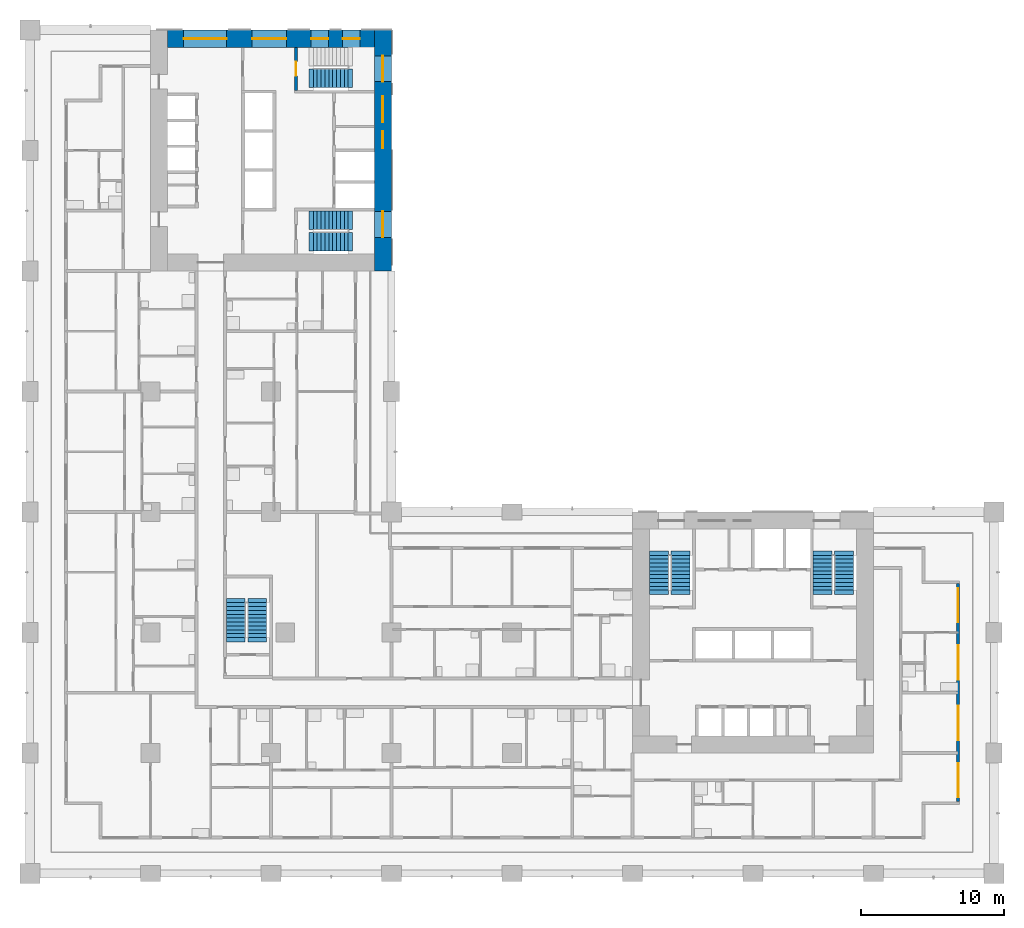
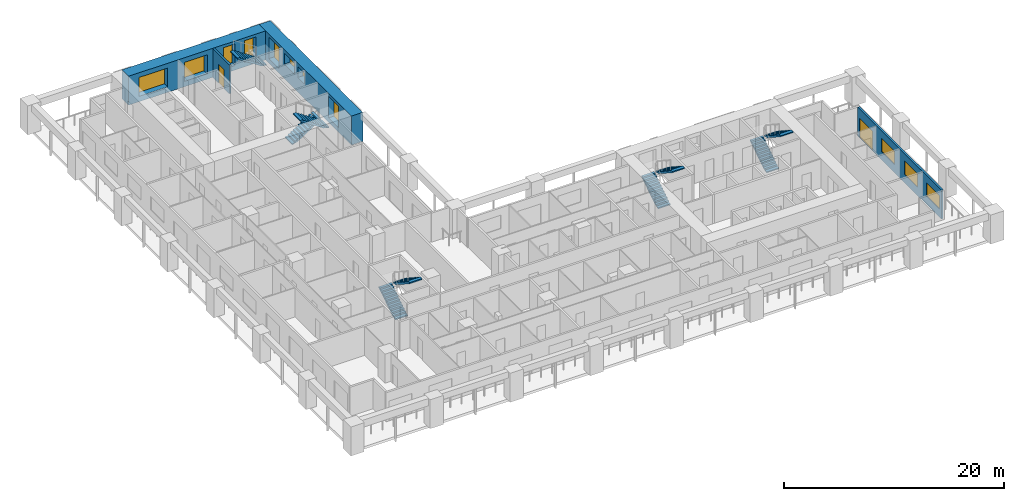
# One storey, part 10 of 19: 11 windows, 9 stair flights, 4 walls, 2 doors, 13 openings, 5 elements without a shape of their own.
"""IFC4 building model written with IfcOpenShell, lengths in metres."""

import ifcopenshell
import ifcopenshell.guid

model = None  # the IFC model being written
_history = None  # IfcOwnerHistory: only IFC2X3 demands one
_inside = {}  # id of a spatial element -> (the spatial element, [elements in it])
_under = {}  # id of a project, library or spatial element -> (it, [spatial elements below it])
_declared = {}  # id of a project -> (the project, [libraries it declares])
_typed = {}  # id of a type object -> (the type object, [elements of that type])
_made_of = {}  # id of a material, layer set ... -> (it, [elements and type objects made of it])


def new_model(schema):
    """Start an empty IFC model of exactly this schema.

    Asked for "IFC4X3", IfcOpenShell would pick the latest addendum, in which some entities
    have other attributes; the version numbers below select the first issue.
    IFC2X3 requires an IfcOwnerHistory on every rooted entity: one is made here for all.
    """
    global model, _history
    if schema == "IFC4X3":
        model = ifcopenshell.file(schema_version=(4, 3, 0, 0))
    else:
        model = ifcopenshell.file(schema=schema)
    _inside.clear()
    _under.clear()
    _declared.clear()
    _typed.clear()
    _made_of.clear()
    _history = None
    if model.schema == "IFC2X3":
        org = make("IfcOrganization", Name="unknown")
        user = make(
            "IfcPersonAndOrganization",
            ThePerson=make("IfcPerson", FamilyName="unknown"),
            TheOrganization=org,
        )
        app = make(
            "IfcApplication",
            ApplicationDeveloper=org,
            Version="unknown",
            ApplicationFullName="unknown",
            ApplicationIdentifier="unknown",
        )
        _history = make(
            "IfcOwnerHistory",
            OwningUser=user,
            OwningApplication=app,
            ChangeAction="ADDED",
            CreationDate=0,
        )
    return model


def make(cls, **values):
    """One entity of the class cls with the attributes given. An attribute that is None is left unset."""
    return model.create_entity(
        cls, **{name: value for name, value in values.items() if value is not None}
    )


def rooted(cls, **values):
    """An entity with a GlobalId (a new one), such as an element, a storey or a relation."""
    return make(cls, GlobalId=ifcopenshell.guid.new(), OwnerHistory=_history, **values)


def si_unit(unit_type, name, prefix=None):
    """IfcSIUnit, for example si_unit("LENGTHUNIT", "METRE", prefix="MILLI")."""
    return make("IfcSIUnit", UnitType=unit_type, Prefix=prefix, Name=name)


def assignment(units):
    """IfcUnitAssignment: the units of a project."""
    return None if units is None else make("IfcUnitAssignment", Units=units)


def point(xyz):
    """IfcCartesianPoint."""
    return None if xyz is None else make("IfcCartesianPoint", Coordinates=xyz)


def direction(xyz):
    """IfcDirection."""
    return None if xyz is None else make("IfcDirection", DirectionRatios=xyz)


def frame(location, z_axis=None, x_axis=None):
    """IfcAxis2Placement3D, a coordinate frame: its origin and axes. An axis left out is left unset."""
    return make(
        "IfcAxis2Placement3D",
        Location=point(location),
        Axis=direction(z_axis),
        RefDirection=direction(x_axis),
    )


def frame_2d(location, x_axis=None):
    """IfcAxis2Placement2D, a coordinate frame in the plane: its origin and x axis."""
    return make(
        "IfcAxis2Placement2D", Location=point(location), RefDirection=direction(x_axis)
    )


def origin():
    """The frame at (0, 0, 0) with its axes left unset."""
    return frame((0.0, 0.0, 0.0))


def place(relative_to, where):
    """IfcLocalPlacement: puts the frame where relative to a parent placement (None: the world)."""
    return make(
        "IfcLocalPlacement", PlacementRelTo=relative_to, RelativePlacement=where
    )


def context(
    kind, dimensions, precision=None, world=None, true_north=None, identifier=None
):
    """IfcGeometricRepresentationContext, for example the 3D "Model" context."""
    return make(
        "IfcGeometricRepresentationContext",
        ContextIdentifier=identifier,
        ContextType=kind,
        CoordinateSpaceDimension=dimensions,
        Precision=precision,
        WorldCoordinateSystem=world,
        TrueNorth=true_north,
    )


def subcontext(parent, identifier, kind, view, scale=None):
    """IfcGeometricRepresentationSubContext, for example "Body" below "Model"."""
    return make(
        "IfcGeometricRepresentationSubContext",
        ContextIdentifier=identifier,
        ContextType=kind,
        ParentContext=parent,
        TargetScale=scale,
        TargetView=view,
    )


def project(units=None, contexts=None):
    """IfcProject with its units and contexts."""
    return rooted(
        "IfcProject",
        Name="project",
        RepresentationContexts=contexts,
        UnitsInContext=assignment(units),
    )


def spatial(cls, under=None, at=None, **own):
    """A site, building, storey or space (cls), placed at a placement, below another one or the project."""
    s = rooted(cls, ObjectPlacement=at, **own)
    if under is not None:
        _under.setdefault(under.id(), (under, []))[1].append(s)
    return s


def polyline(points):
    """IfcPolyline through the points."""
    return make("IfcPolyline", Points=[point(p) for p in points])


def profile(cls, at=None, kind="AREA", **sizes):
    """A parametric profile (cls). Its sizes go by their IFC names, for example OverallWidth=200.0."""
    return make(cls, ProfileType=kind, Position=at, **sizes)


def rectangle(**sizes):
    """IfcRectangleProfileDef."""
    return profile("IfcRectangleProfileDef", **sizes)


def outline(outer, holes=None, kind="AREA"):
    """IfcArbitraryClosedProfileDef: a profile drawn as a closed curve; with holes, ...WithVoids."""
    if holes is None:
        return make("IfcArbitraryClosedProfileDef", ProfileType=kind, OuterCurve=outer)
    return make(
        "IfcArbitraryProfileDefWithVoids",
        ProfileType=kind,
        OuterCurve=outer,
        InnerCurves=holes,
    )


def extrude(swept, where, along, depth):
    """IfcExtrudedAreaSolid: the profile swept, set in the frame where, extruded along a direction by depth."""
    return make(
        "IfcExtrudedAreaSolid",
        SweptArea=swept,
        Position=where,
        ExtrudedDirection=direction(along),
        Depth=depth,
    )


def shape(context_of_items, identifier, shape_type, items):
    """IfcShapeRepresentation: the items that make up one representation, for example the "Body"."""
    return make(
        "IfcShapeRepresentation",
        ContextOfItems=context_of_items,
        RepresentationIdentifier=identifier,
        RepresentationType=shape_type,
        Items=items,
    )


def material(Name=None, Category=None):
    """IfcMaterial."""
    return make("IfcMaterial", Name=Name, Category=Category)


def layer(
    of_material, thickness, ventilated=None, Name=None, Category=None, Priority=None
):
    """IfcMaterialLayer: one layer of a wall or slab, of a material (None: an air gap)."""
    return make(
        "IfcMaterialLayer",
        Material=of_material,
        LayerThickness=thickness,
        IsVentilated=ventilated,
        Name=Name,
        Category=Category,
        Priority=Priority,
    )


def layer_set(layers, Name=None):
    """IfcMaterialLayerSet."""
    return make("IfcMaterialLayerSet", MaterialLayers=layers, LayerSetName=Name)


def made_of(thing, what):
    """Note that an element or type object is made of a material, layer set ...; save() writes the relation."""
    if what is not None:
        _made_of.setdefault(what.id(), (what, []))[1].append(thing)
    return thing


def type_object(cls, material=None, **own):
    """A type object (cls), such as IfcWallType, which elements share."""
    return made_of(rooted(cls, **own), material)


def element(
    cls,
    number,
    at=None,
    inside=None,
    cuts=None,
    type_object=None,
    material=None,
    context=None,
    identifier="Body",
    shape_type=None,
    held_by="IfcProductDefinitionShape",
    body=None,
    shapes=None,
    **own,
):
    """One element of the class cls, such as IfcWall. Its Tag is "e" and its number.

    at: its placement. inside: the storey or other place that contains it. cuts: it is an
    opening in that element (IfcRelVoidsElement). A single representation is given by context,
    identifier, shape_type and body (its items); several are given by shapes. held_by: the class
    of the entity that holds the representations. save() writes the other relations.
    """
    e = rooted(cls, Tag="e%d" % number, ObjectPlacement=at, **own)
    if body is not None:
        shapes = [shape(context, identifier, shape_type, body)]
    if shapes is not None:
        e.Representation = make(held_by, Representations=shapes)
    if inside is not None:
        _inside.setdefault(inside.id(), (inside, []))[1].append(e)
    if cuts is not None:
        rooted(
            "IfcRelVoidsElement", RelatingBuildingElement=cuts, RelatedOpeningElement=e
        )
    if type_object is not None:
        _typed.setdefault(type_object.id(), (type_object, []))[1].append(e)
    return made_of(e, material)


def fill(opening, filler):
    """IfcRelFillsElement: the door or window that sits in an opening."""
    return rooted(
        "IfcRelFillsElement",
        RelatingOpeningElement=opening,
        RelatedBuildingElement=filler,
    )


def aggregate(whole, parts):
    """IfcRelAggregates: a whole, such as a stair, and the parts it consists of."""
    return rooted("IfcRelAggregates", RelatingObject=whole, RelatedObjects=parts)


def save(model, path):
    """Write the relations noted so far, then the file.

    IfcRelAggregates (storeys below a building ...), IfcRelContainedInSpatialStructure (elements
    in a storey), IfcRelDefinesByType, IfcRelAssociatesMaterial and IfcRelDeclares: one each for
    every whole, place, type object, material and project.
    """
    for whole, parts in _under.values():
        aggregate(whole, parts)
    for where, things in _inside.values():
        rooted(
            "IfcRelContainedInSpatialStructure",
            RelatedElements=things,
            RelatingStructure=where,
        )
    for kind, things in _typed.values():
        rooted("IfcRelDefinesByType", RelatedObjects=things, RelatingType=kind)
    for what, things in _made_of.values():
        rooted("IfcRelAssociatesMaterial", RelatedObjects=things, RelatingMaterial=what)
    for by, libraries in _declared.values():
        rooted("IfcRelDeclares", RelatingContext=by, RelatedDefinitions=libraries)
    model.write(path)


model = new_model("IFC4")

# Units and contexts
model_context = context("Model", 3, precision=1e-05, world=origin(), true_north=direction((0.0, 1.0)))
body_context = subcontext(model_context, "Body", "Model", "MODEL_VIEW")
ifc_project = project(units=[si_unit("LENGTHUNIT", "METRE"), si_unit("AREAUNIT", "SQUARE_METRE"), si_unit("VOLUMEUNIT", "CUBIC_METRE"), si_unit("PLANEANGLEUNIT", "RADIAN"), si_unit("MASSUNIT", "GRAM", prefix="KILO")], contexts=[model_context])

# Site, building, storey
site_placement = place(None, origin())
site = spatial("IfcSite", under=ifc_project, at=site_placement, CompositionType="ELEMENT")
building_placement = place(site_placement, origin())
building = spatial("IfcBuilding", under=site, at=building_placement, Name="Vermilion Gate Residences", CompositionType="ELEMENT")
storey_placement = place(building_placement, frame((0.0, 0.0, 49.699951171875)))
storey = spatial("IfcBuildingStorey", under=building, at=storey_placement, Name="L11", CompositionType="ELEMENT", Elevation=49.699951171875)

# Wall, openings, door, windows
ifc_material_1 = material(Name="Insulated steel stud wall with terracotta rainscreen", Category="masonry")
ifc_layer_1 = layer(ifc_material_1, 0.199951171875)
ifc_layer_set_1 = layer_set([ifc_layer_1], Name="EXTERNAL WALL 200 TERRACOTTA RAINSCREEN")
wall_type_1 = type_object("IfcWallType", Name="EXTERNAL WALL 200 TERRACOTTA RAINSCREEN", PredefinedType="SOLIDWALL", material=ifc_layer_set_1)
wall_1_placement = place(storey_placement, frame((64.699951171875, 5.0, 0.0), z_axis=(0.0, 0.0, 1.0), x_axis=(0.0, 1.0, 0.0)))
wall_1 = element("IfcWall", 1, at=wall_1_placement, inside=storey, type_object=wall_type_1, Name="External wall", PredefinedType="SOLIDWALL", context=body_context, shape_type="SweptSolid", body=[
    extrude(rectangle(XDim=15.199951171875, YDim=0.199951171875, at=frame_2d((7.60009765625, 0.0))), origin(), (0.0, 0.0, 1.0), 3.219970703125),
])
opening_1_placement = place(wall_1_placement, frame((0.300048828125, 0.0, 0.89990234375)))
opening_1 = element("IfcOpeningElement", 2, at=opening_1_placement, cuts=wall_1, Name="Opening WE11028", PredefinedType="OPENING", context=body_context, shape_type="SweptSolid", body=[
    extrude(rectangle(XDim=2.39990234375, YDim=1.5, at=frame_2d((1.199951171875, 0.75))), frame((0.0, 0.10986328125, 0.0), z_axis=(0.0, -1.0, 0.0), x_axis=(1.0, 0.0, 0.0)), (0.0, 0.0, 1.0), 0.219970703125),
])
opening_2_placement = place(wall_1_placement, frame((4.300048828125, 0.0, 0.89990234375)))
opening_2 = element("IfcOpeningElement", 3, at=opening_2_placement, cuts=wall_1, Name="Opening WE11029", PredefinedType="OPENING", context=body_context, shape_type="SweptSolid", body=[
    extrude(rectangle(XDim=2.39990234375, YDim=1.5, at=frame_2d((1.199951171875, 0.75))), frame((0.0, 0.10986328125, 0.0), z_axis=(0.0, -1.0, 0.0), x_axis=(1.0, 0.0, 0.0)), (0.0, 0.0, 1.0), 0.219970703125),
])
opening_3_placement = place(wall_1_placement, frame((8.5, 0.0, 0.89990234375)))
opening_3 = element("IfcOpeningElement", 4, at=opening_3_placement, cuts=wall_1, Name="Opening WE11030", PredefinedType="OPENING", context=body_context, shape_type="SweptSolid", body=[
    extrude(rectangle(XDim=2.39990234375, YDim=1.5, at=frame_2d((1.199951171875, 0.75))), frame((0.0, 0.10986328125, 0.0), z_axis=(0.0, -1.0, 0.0), x_axis=(1.0, 0.0, 0.0)), (0.0, 0.0, 1.0), 0.219970703125),
])
opening_4_placement = place(wall_1_placement, frame((12.5, 0.0, 0.0)))
opening_4 = element("IfcOpeningElement", 5, at=opening_4_placement, cuts=wall_1, Name="Opening DE11031", PredefinedType="OPENING", context=body_context, shape_type="SweptSolid", body=[
    extrude(rectangle(XDim=2.39990234375, YDim=2.199951171875, at=frame_2d((1.199951171875, 1.10009765625))), frame((0.0, 0.10986328125, 0.0), z_axis=(0.0, -1.0, 0.0), x_axis=(1.0, 0.0, 0.0)), (0.0, 0.0, 1.0), 0.219970703125),
])
ifc_material_2 = material(Name="Aluminium and clear glass", Category="aluminium")
door_type_1 = type_object("IfcDoorType", Name="SLIDING GLAZED DOOR 2400 X 2200", OperationType="DOUBLE_DOOR_SLIDING", PredefinedType="DOOR", material=ifc_material_2)
door_1_placement = place(opening_4_placement, origin())
door_1 = element("IfcDoor", 6, at=door_1_placement, inside=storey, type_object=door_type_1, Name="Loggia sliding door", OperationType="DOUBLE_DOOR_SLIDING", OverallHeight=2.199951171875, OverallWidth=2.39990234375, PredefinedType="DOOR", context=body_context, shape_type="SweptSolid", body=[
    extrude(rectangle(XDim=2.39990234375, YDim=2.199951171875, at=frame_2d((1.199951171875, 1.10009765625))), frame((0.0, 0.02490234375, 0.0), z_axis=(0.0, -1.0, 0.0), x_axis=(1.0, 0.0, 0.0)), (0.0, 0.0, 1.0), 0.050048828125),
])
fill(opening_4, door_1)
ifc_material_3 = material(Name="Aluminium and clear glass", Category="aluminium")
window_type_1 = type_object("IfcWindowType", Name="WINDOW 2400 X 1500", PartitioningType="SINGLE_PANEL", PredefinedType="WINDOW", material=ifc_material_3)
window_1_placement = place(opening_1_placement, origin())
window_1 = element("IfcWindow", 7, at=window_1_placement, inside=storey, type_object=window_type_1, Name="Window", OverallHeight=1.5, OverallWidth=2.39990234375, PartitioningType="SINGLE_PANEL", PredefinedType="WINDOW", context=body_context, shape_type="SweptSolid", body=[
    extrude(rectangle(XDim=2.39990234375, YDim=1.5, at=frame_2d((1.199951171875, 0.75))), frame((0.0, 0.030029296875, 0.0), z_axis=(0.0, -1.0, 0.0), x_axis=(1.0, 0.0, 0.0)), (0.0, 0.0, 1.0), 0.06005859375),
])
fill(opening_1, window_1)
window_2_placement = place(opening_2_placement, origin())
window_2 = element("IfcWindow", 8, at=window_2_placement, inside=storey, type_object=window_type_1, Name="Window", OverallHeight=1.5, OverallWidth=2.39990234375, PartitioningType="SINGLE_PANEL", PredefinedType="WINDOW", context=body_context, shape_type="SweptSolid", body=[
    extrude(rectangle(XDim=2.39990234375, YDim=1.5, at=frame_2d((1.199951171875, 0.75))), frame((0.0, 0.030029296875, 0.0), z_axis=(0.0, -1.0, 0.0), x_axis=(1.0, 0.0, 0.0)), (0.0, 0.0, 1.0), 0.06005859375),
])
fill(opening_2, window_2)
window_3_placement = place(opening_3_placement, origin())
window_3 = element("IfcWindow", 9, at=window_3_placement, inside=storey, type_object=window_type_1, Name="Window", OverallHeight=1.5, OverallWidth=2.39990234375, PartitioningType="SINGLE_PANEL", PredefinedType="WINDOW", context=body_context, shape_type="SweptSolid", body=[
    extrude(rectangle(XDim=2.39990234375, YDim=1.5, at=frame_2d((1.199951171875, 0.75))), frame((0.0, 0.030029296875, 0.0), z_axis=(0.0, -1.0, 0.0), x_axis=(1.0, 0.0, 0.0)), (0.0, 0.0, 1.0), 0.06005859375),
])
fill(opening_3, window_3)

# Wall, opening, door
ifc_material_4 = material(Name="Concrete C60", Category="concrete")
ifc_layer_2 = layer(ifc_material_4, 0.199951171875)
ifc_layer_set_2 = layer_set([ifc_layer_2], Name="RC CORE INTERNAL WALL 200 C60")
wall_type_2 = type_object("IfcWallType", Name="RC CORE INTERNAL WALL 200 C60", PredefinedType="SHEAR", material=ifc_layer_set_2)
wall_2_placement = place(storey_placement, frame((18.550048828125, 57.60009765625, 0.0), z_axis=(0.0, 0.0, 1.0), x_axis=(0.0, -1.0, 0.0)))
wall_2 = element("IfcWall", 10, at=wall_2_placement, inside=storey, type_object=wall_type_2, Name="Core internal wall B11-STW-S", PredefinedType="SHEAR", context=body_context, shape_type="SweptSolid", body=[
    extrude(rectangle(XDim=3.0, YDim=0.199951171875, at=frame_2d((1.5, 0.0))), origin(), (0.0, 0.0, 1.0), 3.219970703125),
])
opening_5_placement = place(wall_2_placement, frame((1.0, 0.0, 0.0)))
opening_5 = element("IfcOpeningElement", 11, at=opening_5_placement, cuts=wall_2, Name="Opening DK11114", PredefinedType="OPENING", context=body_context, shape_type="SweptSolid", body=[
    extrude(rectangle(XDim=1.0, YDim=2.10009765625, at=frame_2d((0.5, 1.050048828125))), frame((0.0, 0.10986328125, 0.0), z_axis=(0.0, -1.0, 0.0), x_axis=(1.0, 0.0, 0.0)), (0.0, 0.0, 1.0), 0.219970703125),
])
ifc_material_5 = material(Name="Steel", Category="steel")
door_type_2 = type_object("IfcDoorType", Name="FIRE DOOR FD60 1000 X 2100", OperationType="SINGLE_SWING_LEFT", PredefinedType="DOOR", material=ifc_material_5)
door_2_placement = place(opening_5_placement, origin())
door_2 = element("IfcDoor", 12, at=door_2_placement, inside=storey, type_object=door_type_2, Name="Stair door B11", OperationType="SINGLE_SWING_LEFT", OverallHeight=2.10009765625, OverallWidth=1.0, PredefinedType="DOOR", context=body_context, shape_type="SweptSolid", body=[
    extrude(rectangle(XDim=1.0, YDim=2.10009765625, at=frame_2d((0.5, 1.050048828125))), frame((0.0, 0.02490234375, 0.0), z_axis=(0.0, -1.0, 0.0), x_axis=(1.0, 0.0, 0.0)), (0.0, 0.0, 1.0), 0.050048828125),
])
fill(opening_5, door_2)

# Wall, openings, windows
ifc_material_6 = material(Name="Concrete C80 red-oxide pigmented", Category="concrete")
ifc_layer_3 = layer(ifc_material_6, 1.199951171875)
ifc_layer_set_3 = layer_set([ifc_layer_3], Name="RC CORE WALL 1200 C80 RED OXIDE")
wall_type_3 = type_object("IfcWallType", Name="RC CORE WALL 1200 C80 RED OXIDE", PredefinedType="SHEAR", material=ifc_layer_set_3)
wall_3_placement = place(storey_placement, frame((24.60009765625, 58.800048828125, 0.0), z_axis=(0.0, 0.0, 1.0), x_axis=(0.0, -1.0, 0.0)))
wall_3 = element("IfcWall", 13, at=wall_3_placement, inside=storey, type_object=wall_type_3, Name="Core wall B11-OUT-B1", PredefinedType="SHEAR", context=body_context, shape_type="SweptSolid", body=[
    extrude(rectangle(XDim=16.800048828125, YDim=1.199951171875, at=frame_2d((8.39990234375, 0.0))), origin(), (0.0, 0.0, 1.0), 3.219970703125),
])
opening_6_placement = place(wall_3_placement, frame((1.800048828125, 0.0, 0.5)))
opening_6 = element("IfcOpeningElement", 14, at=opening_6_placement, cuts=wall_3, Name="Opening WKB1101", PredefinedType="OPENING", context=body_context, shape_type="SweptSolid", body=[
    extrude(rectangle(XDim=1.800048828125, YDim=2.39990234375, at=frame_2d((0.89990234375, 1.199951171875))), frame((0.0, 0.60986328125, 0.0), z_axis=(0.0, -1.0, 0.0), x_axis=(1.0, 0.0, 0.0)), (0.0, 0.0, 1.0), 1.219970703125),
])
opening_7_placement = place(wall_3_placement, frame((4.625, 0.0, 1.60009765625)))
opening_7 = element("IfcOpeningElement", 15, at=opening_7_placement, cuts=wall_3, Name="Opening WKB1102", PredefinedType="OPENING", context=body_context, shape_type="SweptSolid", body=[
    extrude(rectangle(XDim=1.800048828125, YDim=1.199951171875, at=frame_2d((0.89990234375, 0.60009765625))), frame((0.0, 0.60986328125, 0.0), z_axis=(0.0, -1.0, 0.0), x_axis=(1.0, 0.0, 0.0)), (0.0, 0.0, 1.0), 1.219970703125),
])
opening_8_placement = place(wall_3_placement, frame((7.050048828125, 0.0, 1.60009765625)))
opening_8 = element("IfcOpeningElement", 16, at=opening_8_placement, cuts=wall_3, Name="Opening WKB1103", PredefinedType="OPENING", context=body_context, shape_type="SweptSolid", body=[
    extrude(rectangle(XDim=1.199951171875, YDim=1.199951171875, at=frame_2d((0.60009765625, 0.60009765625))), frame((0.0, 0.60986328125, 0.0), z_axis=(0.0, -1.0, 0.0), x_axis=(1.0, 0.0, 0.0)), (0.0, 0.0, 1.0), 1.219970703125),
])
opening_9_placement = place(wall_3_placement, frame((12.64990234375, 0.0, 0.5)))
opening_9 = element("IfcOpeningElement", 17, at=opening_9_placement, cuts=wall_3, Name="Opening WKB1104", PredefinedType="OPENING", context=body_context, shape_type="SweptSolid", body=[
    extrude(rectangle(XDim=1.800048828125, YDim=2.39990234375, at=frame_2d((0.89990234375, 1.199951171875))), frame((0.0, 0.60986328125, 0.0), z_axis=(0.0, -1.0, 0.0), x_axis=(1.0, 0.0, 0.0)), (0.0, 0.0, 1.0), 1.219970703125),
])
ifc_material_7 = material(Name="Aluminium frame with louvre blades", Category="aluminium")
window_type_2 = type_object("IfcWindowType", Name="CORE LOUVRE 1200 X 1200", PartitioningType="SINGLE_PANEL", PredefinedType="WINDOW", material=ifc_material_7)
window_4_placement = place(opening_8_placement, origin())
window_4 = element("IfcWindow", 18, at=window_4_placement, inside=storey, type_object=window_type_2, Name="Core louvre", OverallHeight=1.199951171875, OverallWidth=1.199951171875, PartitioningType="SINGLE_PANEL", PredefinedType="WINDOW", context=body_context, shape_type="SweptSolid", body=[
    extrude(rectangle(XDim=1.199951171875, YDim=1.199951171875, at=frame_2d((0.60009765625, 0.60009765625))), frame((0.0, 0.030029296875, 0.0), z_axis=(0.0, -1.0, 0.0), x_axis=(1.0, 0.0, 0.0)), (0.0, 0.0, 1.0), 0.06005859375),
])
fill(opening_8, window_4)
ifc_material_8 = material(Name="Aluminium frame with louvre blades", Category="aluminium")
window_type_3 = type_object("IfcWindowType", Name="CORE LOUVRE 1800 X 1200", PartitioningType="SINGLE_PANEL", PredefinedType="WINDOW", material=ifc_material_8)
window_5_placement = place(opening_7_placement, origin())
window_5 = element("IfcWindow", 19, at=window_5_placement, inside=storey, type_object=window_type_3, Name="Core louvre", OverallHeight=1.199951171875, OverallWidth=1.800048828125, PartitioningType="SINGLE_PANEL", PredefinedType="WINDOW", context=body_context, shape_type="SweptSolid", body=[
    extrude(rectangle(XDim=1.800048828125, YDim=1.199951171875, at=frame_2d((0.89990234375, 0.60009765625))), frame((0.0, 0.030029296875, 0.0), z_axis=(0.0, -1.0, 0.0), x_axis=(1.0, 0.0, 0.0)), (0.0, 0.0, 1.0), 0.06005859375),
])
fill(opening_7, window_5)
ifc_material_9 = material(Name="Aluminium and clear glass", Category="aluminium")
window_type_4 = type_object("IfcWindowType", Name="CORE STAIR WINDOW 1800 X 2400", PartitioningType="SINGLE_PANEL", PredefinedType="WINDOW", material=ifc_material_9)
window_6_placement = place(opening_6_placement, origin())
window_6 = element("IfcWindow", 20, at=window_6_placement, inside=storey, type_object=window_type_4, Name="Core stair window", OverallHeight=2.39990234375, OverallWidth=1.800048828125, PartitioningType="SINGLE_PANEL", PredefinedType="WINDOW", context=body_context, shape_type="SweptSolid", body=[
    extrude(rectangle(XDim=1.800048828125, YDim=2.39990234375, at=frame_2d((0.89990234375, 1.199951171875))), frame((0.0, 0.030029296875, 0.0), z_axis=(0.0, -1.0, 0.0), x_axis=(1.0, 0.0, 0.0)), (0.0, 0.0, 1.0), 0.06005859375),
])
fill(opening_6, window_6)
window_7_placement = place(opening_9_placement, origin())
window_7 = element("IfcWindow", 21, at=window_7_placement, inside=storey, type_object=window_type_4, Name="Core stair window", OverallHeight=2.39990234375, OverallWidth=1.800048828125, PartitioningType="SINGLE_PANEL", PredefinedType="WINDOW", context=body_context, shape_type="SweptSolid", body=[
    extrude(rectangle(XDim=1.800048828125, YDim=2.39990234375, at=frame_2d((0.89990234375, 1.199951171875))), frame((0.0, 0.030029296875, 0.0), z_axis=(0.0, -1.0, 0.0), x_axis=(1.0, 0.0, 0.0)), (0.0, 0.0, 1.0), 0.06005859375),
])
fill(opening_9, window_7)

wall_4_placement = place(storey_placement, frame((9.60009765625, 58.199951171875, 0.0), z_axis=(0.0, 0.0, 1.0), x_axis=(1.0, 0.0, 0.0)))
wall_4 = element("IfcWall", 22, at=wall_4_placement, inside=storey, type_object=wall_type_3, Name="Core wall B11-OUT-FR", PredefinedType="SHEAR", context=body_context, shape_type="SweptSolid", body=[
    extrude(rectangle(XDim=14.39990234375, YDim=1.199951171875, at=frame_2d((7.199951171875, 0.0))), origin(), (0.0, 0.0, 1.0), 3.219970703125),
])
opening_10_placement = place(wall_4_placement, frame((1.10498046875, 0.0, 0.60009765625)))
opening_10 = element("IfcOpeningElement", 23, at=opening_10_placement, cuts=wall_4, Name="Opening WKB1105", PredefinedType="OPENING", context=body_context, shape_type="SweptSolid", body=[
    extrude(rectangle(XDim=3.0, YDim=2.10009765625, at=frame_2d((1.5, 1.050048828125))), frame((0.0, 0.60986328125, 0.0), z_axis=(0.0, -1.0, 0.0), x_axis=(1.0, 0.0, 0.0)), (0.0, 0.0, 1.0), 1.219970703125),
])
opening_11_placement = place(wall_4_placement, frame((5.875, 0.0, 0.60009765625)))
opening_11 = element("IfcOpeningElement", 24, at=opening_11_placement, cuts=wall_4, Name="Opening WKB1106", PredefinedType="OPENING", context=body_context, shape_type="SweptSolid", body=[
    extrude(rectangle(XDim=2.39990234375, YDim=2.10009765625, at=frame_2d((1.199951171875, 1.050048828125))), frame((0.0, 0.60986328125, 0.0), z_axis=(0.0, -1.0, 0.0), x_axis=(1.0, 0.0, 0.0)), (0.0, 0.0, 1.0), 1.219970703125),
])
opening_12_placement = place(wall_4_placement, frame((9.993408203125, 0.0, 0.5)))
opening_12 = element("IfcOpeningElement", 25, at=opening_12_placement, cuts=wall_4, Name="Opening WKB1107", PredefinedType="OPENING", context=body_context, shape_type="SweptSolid", body=[
    extrude(rectangle(XDim=1.199951171875, YDim=2.39990234375, at=frame_2d((0.60009765625, 1.199951171875))), frame((0.0, 0.60986328125, 0.0), z_axis=(0.0, -1.0, 0.0), x_axis=(1.0, 0.0, 0.0)), (0.0, 0.0, 1.0), 1.219970703125),
])
opening_13_placement = place(wall_4_placement, frame((12.19677734375, 0.0, 0.5)))
opening_13 = element("IfcOpeningElement", 26, at=opening_13_placement, cuts=wall_4, Name="Opening WKB1108", PredefinedType="OPENING", context=body_context, shape_type="SweptSolid", body=[
    extrude(rectangle(XDim=1.199951171875, YDim=2.39990234375, at=frame_2d((0.60009765625, 1.199951171875))), frame((0.0, 0.60986328125, 0.0), z_axis=(0.0, -1.0, 0.0), x_axis=(1.0, 0.0, 0.0)), (0.0, 0.0, 1.0), 1.219970703125),
])
ifc_material_10 = material(Name="Aluminium and clear glass", Category="aluminium")
window_type_5 = type_object("IfcWindowType", Name="CORE LOBBY WINDOW 2400 X 2100", PartitioningType="SINGLE_PANEL", PredefinedType="WINDOW", material=ifc_material_10)
window_8_placement = place(opening_11_placement, origin())
window_8 = element("IfcWindow", 27, at=window_8_placement, inside=storey, type_object=window_type_5, Name="Core lobby window", OverallHeight=2.10009765625, OverallWidth=2.39990234375, PartitioningType="SINGLE_PANEL", PredefinedType="WINDOW", context=body_context, shape_type="SweptSolid", body=[
    extrude(rectangle(XDim=2.39990234375, YDim=2.10009765625, at=frame_2d((1.199951171875, 1.050048828125))), frame((0.0, 0.030029296875, 0.0), z_axis=(0.0, -1.0, 0.0), x_axis=(1.0, 0.0, 0.0)), (0.0, 0.0, 1.0), 0.06005859375),
])
fill(opening_11, window_8)
ifc_material_11 = material(Name="Aluminium and clear glass", Category="aluminium")
window_type_6 = type_object("IfcWindowType", Name="CORE LOBBY WINDOW 3000 X 2100", PartitioningType="SINGLE_PANEL", PredefinedType="WINDOW", material=ifc_material_11)
window_9_placement = place(opening_10_placement, origin())
window_9 = element("IfcWindow", 28, at=window_9_placement, inside=storey, type_object=window_type_6, Name="Core lobby window", OverallHeight=2.10009765625, OverallWidth=3.0, PartitioningType="SINGLE_PANEL", PredefinedType="WINDOW", context=body_context, shape_type="SweptSolid", body=[
    extrude(rectangle(XDim=3.0, YDim=2.10009765625, at=frame_2d((1.5, 1.050048828125))), frame((0.0, 0.030029296875, 0.0), z_axis=(0.0, -1.0, 0.0), x_axis=(1.0, 0.0, 0.0)), (0.0, 0.0, 1.0), 0.06005859375),
])
fill(opening_10, window_9)
ifc_material_12 = material(Name="Aluminium and clear glass", Category="aluminium")
window_type_7 = type_object("IfcWindowType", Name="CORE STAIR WINDOW 1200 X 2400", PartitioningType="SINGLE_PANEL", PredefinedType="WINDOW", material=ifc_material_12)
window_10_placement = place(opening_12_placement, origin())
window_10 = element("IfcWindow", 29, at=window_10_placement, inside=storey, type_object=window_type_7, Name="Core stair window", OverallHeight=2.39990234375, OverallWidth=1.199951171875, PartitioningType="SINGLE_PANEL", PredefinedType="WINDOW", context=body_context, shape_type="SweptSolid", body=[
    extrude(rectangle(XDim=1.199951171875, YDim=2.39990234375, at=frame_2d((0.60009765625, 1.199951171875))), frame((0.0, 0.030029296875, 0.0), z_axis=(0.0, -1.0, 0.0), x_axis=(1.0, 0.0, 0.0)), (0.0, 0.0, 1.0), 0.06005859375),
])
fill(opening_12, window_10)
window_11_placement = place(opening_13_placement, origin())
window_11 = element("IfcWindow", 30, at=window_11_placement, inside=storey, type_object=window_type_7, Name="Core stair window", OverallHeight=2.39990234375, OverallWidth=1.199951171875, PartitioningType="SINGLE_PANEL", PredefinedType="WINDOW", context=body_context, shape_type="SweptSolid", body=[
    extrude(rectangle(XDim=1.199951171875, YDim=2.39990234375, at=frame_2d((0.60009765625, 1.199951171875))), frame((0.0, 0.030029296875, 0.0), z_axis=(0.0, -1.0, 0.0), x_axis=(1.0, 0.0, 0.0)), (0.0, 0.0, 1.0), 0.06005859375),
])
fill(opening_13, window_11)

# Stair, stair flights
ifc_material_13 = material(Name="Concrete C50", Category="concrete")
stair_type = type_object("IfcStairType", Name="SPECIAL ESCAPE STAIR 1300", PredefinedType="HALF_TURN_STAIR", material=ifc_material_13)
stair_1_placement = place(storey_placement, origin())
stair_1 = element("IfcStair", 31, at=stair_1_placement, inside=storey, type_object=stair_type, Name="Special escape stair STA1-11", PredefinedType="HALF_TURN_STAIR")
ifc_material_14 = material(Name="Concrete C50", Category="concrete")
stair_flight_type = type_object("IfcStairFlightType", Name="STAIR FLIGHT 1300 RC C50", PredefinedType="STRAIGHT", material=ifc_material_14)
stair_flight_1_placement = place(storey_placement, frame((43.85009765625, 19.75, 0.0), z_axis=(0.0, 0.0, 1.0), x_axis=(0.0, 1.0, 0.0)))
stair_flight_1 = element("IfcStairFlight", 32, at=stair_flight_1_placement, type_object=stair_flight_type, Name="STA1-11 flight 1", NumberOfRisers=10, NumberOfTreads=9, PredefinedType="STRAIGHT", RiserHeight=0.175, TreadLength=0.27, context=body_context, shape_type="SweptSolid", body=[
    extrude(outline(polyline([(-0.300048828125, -0.14990234375), (-0.300048828125, -0.030029296875), (0.0, 0.0), (0.0, 0.175048828125), (0.27001953125, 0.175048828125), (0.27001953125, 0.35009765625), (0.5400390625, 0.35009765625), (0.5400390625, 0.52490234375), (0.81005859375, 0.52490234375), (0.81005859375, 0.699951171875), (1.080078125, 0.699951171875), (1.080078125, 0.875), (1.35009765625, 0.875), (1.35009765625, 1.050048828125), (1.6201171875, 1.050048828125), (1.6201171875, 1.22509765625), (1.889892578125, 1.22509765625), (1.889892578125, 1.39990234375), (2.159912109375, 1.39990234375), (2.159912109375, 1.574951171875), (2.429931640625, 1.574951171875), (2.429931640625, 1.75), (2.72998046875, 1.719970703125), (2.72998046875, 1.60009765625), (2.429931640625, 1.396484375), (0.275634765625, 0.0), (-0.300048828125, -0.14990234375)])), frame((0.0, 0.64990234375, 0.0), z_axis=(0.0, -1.0, 0.0), x_axis=(1.0, 0.0, 0.0)), (0.0, 0.0, 1.0), 1.300048828125),
])
stair_flight_2_placement = place(storey_placement, frame((45.35009765625, 22.179931640625, 1.75), z_axis=(0.0, 0.0, 1.0), x_axis=(0.0, -1.0, 0.0)))
stair_flight_2 = element("IfcStairFlight", 33, at=stair_flight_2_placement, type_object=stair_flight_type, Name="STA1-11 flight 2", NumberOfRisers=10, NumberOfTreads=9, PredefinedType="STRAIGHT", RiserHeight=0.175, TreadLength=0.27, context=body_context, shape_type="SweptSolid", body=[
    extrude(outline(polyline([(-0.300048828125, -0.14990234375), (-0.300048828125, -0.030029296875), (0.0, 0.0), (0.0, 0.175048828125), (0.27001953125, 0.175048828125), (0.27001953125, 0.35009765625), (0.5400390625, 0.35009765625), (0.5400390625, 0.52490234375), (0.81005859375, 0.52490234375), (0.81005859375, 0.699951171875), (1.080078125, 0.699951171875), (1.080078125, 0.875), (1.35009765625, 0.875), (1.35009765625, 1.050048828125), (1.6201171875, 1.050048828125), (1.6201171875, 1.22509765625), (1.889892578125, 1.22509765625), (1.889892578125, 1.39990234375), (2.159912109375, 1.39990234375), (2.159912109375, 1.574951171875), (2.429931640625, 1.574951171875), (2.429931640625, 1.75), (2.72998046875, 1.719970703125), (2.72998046875, 1.60009765625), (2.429931640625, 1.396484375), (0.275634765625, 0.0), (-0.300048828125, -0.14990234375)])), frame((0.0, 0.64990234375, 0.0), z_axis=(0.0, -1.0, 0.0), x_axis=(1.0, 0.0, 0.0)), (0.0, 0.0, 1.0), 1.300048828125),
])
aggregate(stair_1, [stair_flight_1, stair_flight_2])

stair_2_placement = place(storey_placement, origin())
stair_2 = element("IfcStair", 34, at=stair_2_placement, inside=storey, type_object=stair_type, Name="Special escape stair STA2-11", PredefinedType="HALF_TURN_STAIR")
stair_flight_3_placement = place(storey_placement, frame((55.25, 19.75, 0.0), z_axis=(0.0, 0.0, 1.0), x_axis=(0.0, 1.0, 0.0)))
stair_flight_3 = element("IfcStairFlight", 35, at=stair_flight_3_placement, type_object=stair_flight_type, Name="STA2-11 flight 1", NumberOfRisers=10, NumberOfTreads=9, PredefinedType="STRAIGHT", RiserHeight=0.175, TreadLength=0.27, context=body_context, shape_type="SweptSolid", body=[
    extrude(outline(polyline([(-0.300048828125, -0.14990234375), (-0.300048828125, -0.030029296875), (0.0, 0.0), (0.0, 0.175048828125), (0.27001953125, 0.175048828125), (0.27001953125, 0.35009765625), (0.5400390625, 0.35009765625), (0.5400390625, 0.52490234375), (0.81005859375, 0.52490234375), (0.81005859375, 0.699951171875), (1.080078125, 0.699951171875), (1.080078125, 0.875), (1.35009765625, 0.875), (1.35009765625, 1.050048828125), (1.6201171875, 1.050048828125), (1.6201171875, 1.22509765625), (1.889892578125, 1.22509765625), (1.889892578125, 1.39990234375), (2.159912109375, 1.39990234375), (2.159912109375, 1.574951171875), (2.429931640625, 1.574951171875), (2.429931640625, 1.75), (2.72998046875, 1.719970703125), (2.72998046875, 1.60009765625), (2.429931640625, 1.396484375), (0.275634765625, 0.0), (-0.300048828125, -0.14990234375)])), frame((0.0, 0.64990234375, 0.0), z_axis=(0.0, -1.0, 0.0), x_axis=(1.0, 0.0, 0.0)), (0.0, 0.0, 1.0), 1.300048828125),
])
stair_flight_4_placement = place(storey_placement, frame((56.75, 22.179931640625, 1.75), z_axis=(0.0, 0.0, 1.0), x_axis=(0.0, -1.0, 0.0)))
stair_flight_4 = element("IfcStairFlight", 36, at=stair_flight_4_placement, type_object=stair_flight_type, Name="STA2-11 flight 2", NumberOfRisers=10, NumberOfTreads=9, PredefinedType="STRAIGHT", RiserHeight=0.175, TreadLength=0.27, context=body_context, shape_type="SweptSolid", body=[
    extrude(outline(polyline([(-0.300048828125, -0.14990234375), (-0.300048828125, -0.030029296875), (0.0, 0.0), (0.0, 0.175048828125), (0.27001953125, 0.175048828125), (0.27001953125, 0.35009765625), (0.5400390625, 0.35009765625), (0.5400390625, 0.52490234375), (0.81005859375, 0.52490234375), (0.81005859375, 0.699951171875), (1.080078125, 0.699951171875), (1.080078125, 0.875), (1.35009765625, 0.875), (1.35009765625, 1.050048828125), (1.6201171875, 1.050048828125), (1.6201171875, 1.22509765625), (1.889892578125, 1.22509765625), (1.889892578125, 1.39990234375), (2.159912109375, 1.39990234375), (2.159912109375, 1.574951171875), (2.429931640625, 1.574951171875), (2.429931640625, 1.75), (2.72998046875, 1.719970703125), (2.72998046875, 1.60009765625), (2.429931640625, 1.396484375), (0.275634765625, 0.0), (-0.300048828125, -0.14990234375)])), frame((0.0, 0.64990234375, 0.0), z_axis=(0.0, -1.0, 0.0), x_axis=(1.0, 0.0, 0.0)), (0.0, 0.0, 1.0), 1.300048828125),
])
aggregate(stair_2, [stair_flight_3, stair_flight_4])

# Stair, stair flight
stair_3_placement = place(storey_placement, origin())
stair_3 = element("IfcStair", 37, at=stair_3_placement, inside=storey, type_object=stair_type, Name="Special escape stair STB1-11", PredefinedType="HALF_TURN_STAIR")
stair_flight_5_placement = place(storey_placement, frame((22.179931640625, 55.449951171875, 1.75), z_axis=(0.0, 0.0, 1.0), x_axis=(-1.0, 0.0, 0.0)))
stair_flight_5 = element("IfcStairFlight", 38, at=stair_flight_5_placement, type_object=stair_flight_type, Name="STB1-11 flight 2", NumberOfRisers=10, NumberOfTreads=9, PredefinedType="STRAIGHT", RiserHeight=0.175, TreadLength=0.27, context=body_context, shape_type="SweptSolid", body=[
    extrude(outline(polyline([(-0.300048828125, -0.14990234375), (-0.300048828125, -0.030029296875), (0.0, 0.0), (0.0, 0.175048828125), (0.27001953125, 0.175048828125), (0.27001953125, 0.35009765625), (0.5400390625, 0.35009765625), (0.5400390625, 0.52490234375), (0.81005859375, 0.52490234375), (0.81005859375, 0.699951171875), (1.080078125, 0.699951171875), (1.080078125, 0.875), (1.35009765625, 0.875), (1.35009765625, 1.050048828125), (1.6201171875, 1.050048828125), (1.6201171875, 1.22509765625), (1.889892578125, 1.22509765625), (1.889892578125, 1.39990234375), (2.159912109375, 1.39990234375), (2.159912109375, 1.574951171875), (2.429931640625, 1.574951171875), (2.429931640625, 1.75), (2.72998046875, 1.719970703125), (2.72998046875, 1.60009765625), (2.429931640625, 1.396484375), (0.275634765625, 0.0), (-0.300048828125, -0.14990234375)])), frame((0.0, 0.64990234375, 0.0), z_axis=(0.0, -1.0, 0.0), x_axis=(1.0, 0.0, 0.0)), (0.0, 0.0, 1.0), 1.300048828125),
])
aggregate(stair_3, [stair_flight_5])

# Stair, stair flights
stair_4_placement = place(storey_placement, origin())
stair_4 = element("IfcStair", 39, at=stair_4_placement, inside=storey, type_object=stair_type, Name="Special escape stair STB2-11", PredefinedType="HALF_TURN_STAIR")
stair_flight_6_placement = place(storey_placement, frame((19.75, 45.550048828125, 0.0), z_axis=(0.0, 0.0, 1.0), x_axis=(1.0, 0.0, 0.0)))
stair_flight_6 = element("IfcStairFlight", 40, at=stair_flight_6_placement, type_object=stair_flight_type, Name="STB2-11 flight 1", NumberOfRisers=10, NumberOfTreads=9, PredefinedType="STRAIGHT", RiserHeight=0.175, TreadLength=0.27, context=body_context, shape_type="SweptSolid", body=[
    extrude(outline(polyline([(-0.300048828125, -0.14990234375), (-0.300048828125, -0.030029296875), (0.0, 0.0), (0.0, 0.175048828125), (0.27001953125, 0.175048828125), (0.27001953125, 0.35009765625), (0.5400390625, 0.35009765625), (0.5400390625, 0.52490234375), (0.81005859375, 0.52490234375), (0.81005859375, 0.699951171875), (1.080078125, 0.699951171875), (1.080078125, 0.875), (1.35009765625, 0.875), (1.35009765625, 1.050048828125), (1.6201171875, 1.050048828125), (1.6201171875, 1.22509765625), (1.889892578125, 1.22509765625), (1.889892578125, 1.39990234375), (2.159912109375, 1.39990234375), (2.159912109375, 1.574951171875), (2.429931640625, 1.574951171875), (2.429931640625, 1.75), (2.72998046875, 1.719970703125), (2.72998046875, 1.60009765625), (2.429931640625, 1.396484375), (0.275634765625, 0.0), (-0.300048828125, -0.14990234375)])), frame((0.0, 0.64990234375, 0.0), z_axis=(0.0, -1.0, 0.0), x_axis=(1.0, 0.0, 0.0)), (0.0, 0.0, 1.0), 1.300048828125),
])
stair_flight_7_placement = place(storey_placement, frame((22.179931640625, 44.050048828125, 1.75), z_axis=(0.0, 0.0, 1.0), x_axis=(-1.0, 0.0, 0.0)))
stair_flight_7 = element("IfcStairFlight", 41, at=stair_flight_7_placement, type_object=stair_flight_type, Name="STB2-11 flight 2", NumberOfRisers=10, NumberOfTreads=9, PredefinedType="STRAIGHT", RiserHeight=0.175, TreadLength=0.27, context=body_context, shape_type="SweptSolid", body=[
    extrude(outline(polyline([(-0.300048828125, -0.14990234375), (-0.300048828125, -0.030029296875), (0.0, 0.0), (0.0, 0.175048828125), (0.27001953125, 0.175048828125), (0.27001953125, 0.35009765625), (0.5400390625, 0.35009765625), (0.5400390625, 0.52490234375), (0.81005859375, 0.52490234375), (0.81005859375, 0.699951171875), (1.080078125, 0.699951171875), (1.080078125, 0.875), (1.35009765625, 0.875), (1.35009765625, 1.050048828125), (1.6201171875, 1.050048828125), (1.6201171875, 1.22509765625), (1.889892578125, 1.22509765625), (1.889892578125, 1.39990234375), (2.159912109375, 1.39990234375), (2.159912109375, 1.574951171875), (2.429931640625, 1.574951171875), (2.429931640625, 1.75), (2.72998046875, 1.719970703125), (2.72998046875, 1.60009765625), (2.429931640625, 1.396484375), (0.275634765625, 0.0), (-0.300048828125, -0.14990234375)])), frame((0.0, 0.64990234375, 0.0), z_axis=(0.0, -1.0, 0.0), x_axis=(1.0, 0.0, 0.0)), (0.0, 0.0, 1.0), 1.300048828125),
])
aggregate(stair_4, [stair_flight_6, stair_flight_7])

stair_5_placement = place(storey_placement, origin())
stair_5 = element("IfcStair", 42, at=stair_5_placement, inside=storey, type_object=stair_type, Name="Special escape stair STC1-11", PredefinedType="HALF_TURN_STAIR")
stair_flight_8_placement = place(storey_placement, frame((14.35009765625, 16.449951171875, 0.0), z_axis=(0.0, 0.0, 1.0), x_axis=(0.0, 1.0, 0.0)))
stair_flight_8 = element("IfcStairFlight", 43, at=stair_flight_8_placement, type_object=stair_flight_type, Name="STC1-11 flight 1", NumberOfRisers=10, NumberOfTreads=9, PredefinedType="STRAIGHT", RiserHeight=0.175, TreadLength=0.27, context=body_context, shape_type="SweptSolid", body=[
    extrude(outline(polyline([(-0.300048828125, -0.14990234375), (-0.300048828125, -0.030029296875), (0.0, 0.0), (0.0, 0.175048828125), (0.27001953125, 0.175048828125), (0.27001953125, 0.35009765625), (0.5400390625, 0.35009765625), (0.5400390625, 0.52490234375), (0.81005859375, 0.52490234375), (0.81005859375, 0.699951171875), (1.080078125, 0.699951171875), (1.080078125, 0.875), (1.35009765625, 0.875), (1.35009765625, 1.050048828125), (1.6201171875, 1.050048828125), (1.6201171875, 1.22509765625), (1.889892578125, 1.22509765625), (1.889892578125, 1.39990234375), (2.159912109375, 1.39990234375), (2.159912109375, 1.574951171875), (2.429931640625, 1.574951171875), (2.429931640625, 1.75), (2.72998046875, 1.719970703125), (2.72998046875, 1.60009765625), (2.429931640625, 1.396484375), (0.275634765625, 0.0), (-0.300048828125, -0.14990234375)])), frame((0.0, 0.64990234375, 0.0), z_axis=(0.0, -1.0, 0.0), x_axis=(1.0, 0.0, 0.0)), (0.0, 0.0, 1.0), 1.300048828125),
])
stair_flight_9_placement = place(storey_placement, frame((15.85009765625, 18.8798828125, 1.75), z_axis=(0.0, 0.0, 1.0), x_axis=(0.0, -1.0, 0.0)))
stair_flight_9 = element("IfcStairFlight", 44, at=stair_flight_9_placement, type_object=stair_flight_type, Name="STC1-11 flight 2", NumberOfRisers=10, NumberOfTreads=9, PredefinedType="STRAIGHT", RiserHeight=0.175, TreadLength=0.27, context=body_context, shape_type="SweptSolid", body=[
    extrude(outline(polyline([(-0.300048828125, -0.14990234375), (-0.300048828125, -0.030029296875), (0.0, 0.0), (0.0, 0.175048828125), (0.27001953125, 0.175048828125), (0.27001953125, 0.35009765625), (0.5400390625, 0.35009765625), (0.5400390625, 0.52490234375), (0.81005859375, 0.52490234375), (0.81005859375, 0.699951171875), (1.080078125, 0.699951171875), (1.080078125, 0.875), (1.35009765625, 0.875), (1.35009765625, 1.050048828125), (1.6201171875, 1.050048828125), (1.6201171875, 1.22509765625), (1.889892578125, 1.22509765625), (1.889892578125, 1.39990234375), (2.159912109375, 1.39990234375), (2.159912109375, 1.574951171875), (2.429931640625, 1.574951171875), (2.429931640625, 1.75), (2.72998046875, 1.719970703125), (2.72998046875, 1.60009765625), (2.429931640625, 1.396484375), (0.275634765625, 0.0), (-0.300048828125, -0.14990234375)])), frame((0.0, 0.64990234375, 0.0), z_axis=(0.0, -1.0, 0.0), x_axis=(1.0, 0.0, 0.0)), (0.0, 0.0, 1.0), 1.300048828125),
])
aggregate(stair_5, [stair_flight_8, stair_flight_9])

save(model, "model.ifc")
